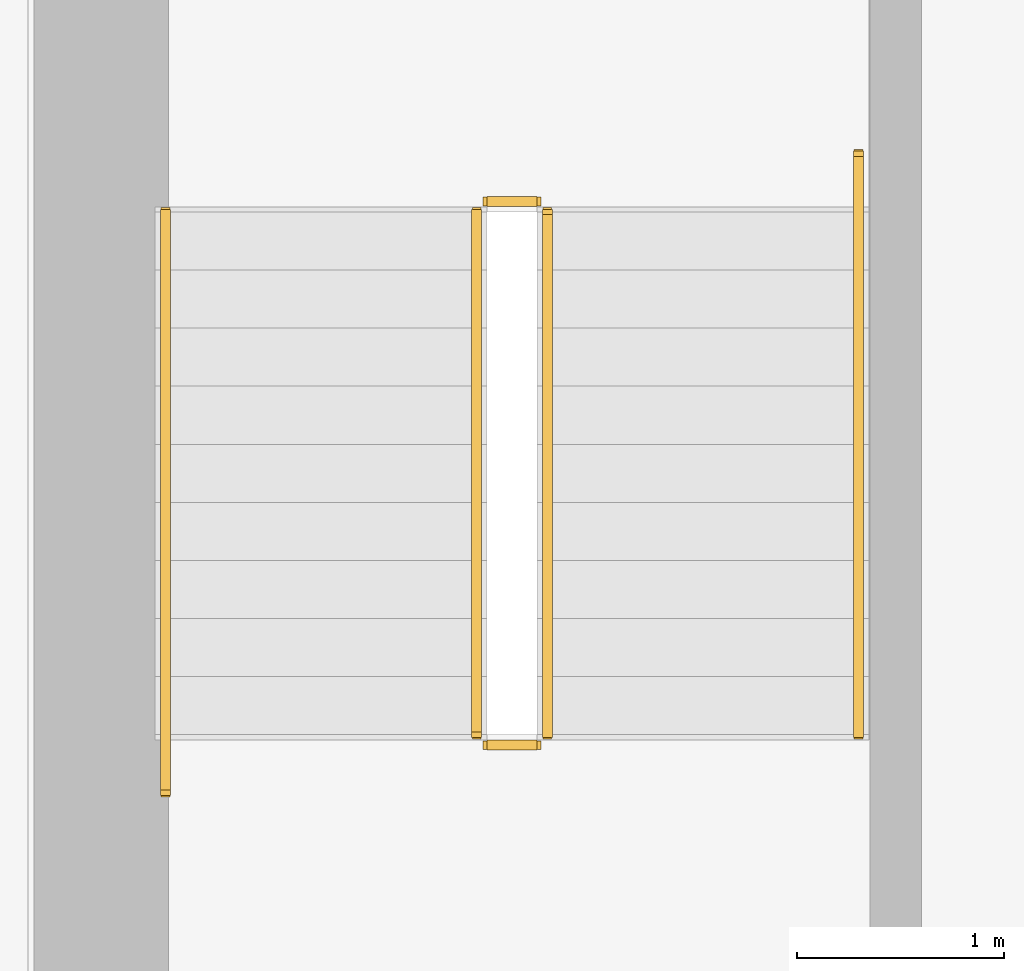
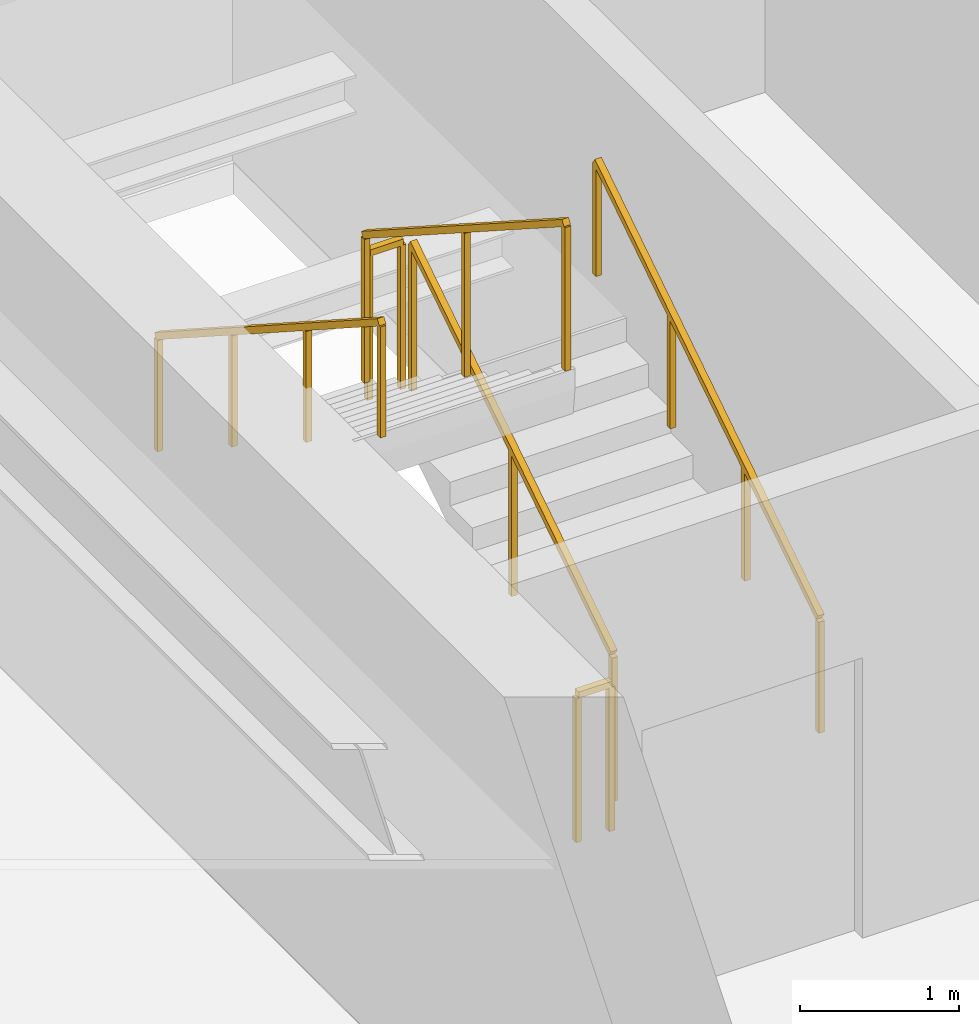
# One storey, part 34 of 37: 6 railings.
"""IFC4 building model written with IfcOpenShell, lengths in metres."""

from ifc_helpers import new_model, si_unit, direction, frame, origin, origin_2d, place, context, subcontext, project, spatial, rectangle, extrude, material, type_object, element, save


model = new_model("IFC4")

# Units and contexts
model_context = context("Model", 3, precision=1e-05, world=origin(), true_north=direction((0.0, 1.0)))
body_context = subcontext(model_context, "Body", "Model", "MODEL_VIEW")
ifc_project = project(units=[si_unit("LENGTHUNIT", "METRE"), si_unit("AREAUNIT", "SQUARE_METRE"), si_unit("VOLUMEUNIT", "CUBIC_METRE"), si_unit("PLANEANGLEUNIT", "RADIAN"), si_unit("MASSUNIT", "GRAM", prefix="KILO")], contexts=[model_context])

# Site, building, storey
site_placement = place(None, origin())
site = spatial("IfcSite", under=ifc_project, at=site_placement, CompositionType="ELEMENT")
building_placement = place(site_placement, origin())
building = spatial("IfcBuilding", under=site, at=building_placement, Name="Sumidabori Civic Tower", CompositionType="ELEMENT")
storey_placement = place(building_placement, frame((0.0, 0.0, 88.39990234375)))
storey = spatial("IfcBuildingStorey", under=building, at=storey_placement, Name="L22", CompositionType="ELEMENT", Elevation=88.39990234375)

# Railings
ifc_material_1 = material(Name="Stainless Steel Hairline Finish", Category="steel")
railing_type_1 = type_object("IfcRailingType", Name="RL-HANDRAIL", PredefinedType="HANDRAIL", material=ifc_material_1)
railing_1_placement = place(storey_placement, frame((-11.949951171875, 16.0, 0.18017578125)))
element("IfcRailing", 1, at=railing_1_placement, inside=storey, type_object=railing_type_1, Name="L22 ST-1 stair handrail 1", PredefinedType="HANDRAIL", context=body_context, shape_type="SweptSolid", body=[
    extrude(rectangle(XDim=0.048095703125, YDim=0.048095703125, at=origin_2d()), frame((0.0, 0.0, 0.8759765625), z_axis=(0.0, 0.840675598268, 0.541539046124), x_axis=(-1.0, 0.0, 0.0)), (0.0, 0.0, 1.0), 3.330810546875),
    extrude(rectangle(XDim=0.0419921875, YDim=0.0419921875, at=origin_2d()), origin(), (0.0, 0.0, 1.0), 0.851806640625),
    extrude(rectangle(XDim=0.0419921875, YDim=0.0419921875, at=origin_2d()), frame((0.0, 0.933349609375, 0.601318359375)), (0.0, 0.0, 1.0), 0.851806640625),
    extrude(rectangle(XDim=0.0419921875, YDim=0.0419921875, at=origin_2d()), frame((0.0, 1.86669921875, 1.202392578125)), (0.0, 0.0, 1.0), 0.851806640625),
    extrude(rectangle(XDim=0.0419921875, YDim=0.0419921875, at=origin_2d()), frame((0.0, 2.800048828125, 1.8037109375)), (0.0, 0.0, 1.0), 0.851806640625),
])
railing_2_placement = place(storey_placement, frame((-15.2900390625, 18.52001953125, 1.97998046875)))
element("IfcRailing", 2, at=railing_2_placement, inside=storey, type_object=railing_type_1, Name="L22 ST-1 stair handrail 2", PredefinedType="HANDRAIL", context=body_context, shape_type="SweptSolid", body=[
    extrude(rectangle(XDim=0.048095703125, YDim=0.048095703125, at=origin_2d()), frame((0.0, 0.0, 0.8759765625), z_axis=(0.0, -0.84064222762, 0.54159084662), x_axis=(1.0, 0.0, 0.0)), (0.0, 0.0, 1.0), 3.330810546875),
    extrude(rectangle(XDim=0.0419921875, YDim=0.0419921875, at=origin_2d()), origin(), (0.0, 0.0, 1.0), 0.851806640625),
    extrude(rectangle(XDim=0.0419921875, YDim=0.0419921875, at=origin_2d()), frame((0.0, -0.933349609375, 0.601318359375)), (0.0, 0.0, 1.0), 0.851806640625),
    extrude(rectangle(XDim=0.0419921875, YDim=0.0419921875, at=origin_2d()), frame((0.0, -1.86669921875, 1.20263671875)), (0.0, 0.0, 1.0), 0.851806640625),
    extrude(rectangle(XDim=0.0419921875, YDim=0.0419921875, at=origin_2d()), frame((0.0, -2.800048828125, 1.803955078125)), (0.0, 0.0, 1.0), 0.851806640625),
])
ifc_material_2 = material(Name="Steel SN490", Category="steel")
railing_type_2 = type_object("IfcRailingType", Name="RL-STAIR-GUARD", PredefinedType="GUARDRAIL", material=ifc_material_2)
railing_3_placement = place(storey_placement, frame((-13.449951171875, 16.0, 0.18017578125)))
element("IfcRailing", 3, at=railing_3_placement, inside=storey, type_object=railing_type_2, Name="L22 ST-1 stair guard 1", PredefinedType="GUARDRAIL", context=body_context, shape_type="SweptSolid", body=[
    extrude(rectangle(XDim=0.048095703125, YDim=0.048095703125, at=origin_2d()), frame((0.0, 0.0, 1.1259765625), z_axis=(0.0, 0.841199657755, 0.540724639528), x_axis=(-1.0, 0.0, 0.0)), (0.0, 0.0, 1.0), 2.995849609375),
    extrude(rectangle(XDim=0.0419921875, YDim=0.0419921875, at=origin_2d()), origin(), (0.0, 0.0, 1.0), 1.101806640625),
    extrude(rectangle(XDim=0.0419921875, YDim=0.0419921875, at=origin_2d()), frame((0.0, 1.260009765625, 0.81005859375)), (0.0, 0.0, 1.0), 1.101806640625),
    extrude(rectangle(XDim=0.0419921875, YDim=0.0419921875, at=origin_2d()), frame((0.0, 2.52001953125, 1.619873046875)), (0.0, 0.0, 1.0), 1.101806640625),
])
railing_4_placement = place(storey_placement, frame((-13.5, 18.570068359375, 1.800048828125)))
element("IfcRailing", 4, at=railing_4_placement, inside=storey, type_object=railing_type_2, Name="L22 ST-1 stair guard 2", PredefinedType="GUARDRAIL", context=body_context, shape_type="SweptSolid", body=[
    extrude(rectangle(XDim=0.048095703125, YDim=0.048095703125, at=origin_2d()), frame((0.0, 0.0, 1.1259765625), z_axis=(-1.0, 0.0, 0.0), x_axis=(0.0, -1.0, 0.0)), (0.0, 0.0, 1.0), 0.239990234375),
    extrude(rectangle(XDim=0.0419921875, YDim=0.0419921875, at=origin_2d()), origin(), (0.0, 0.0, 1.0), 1.101806640625),
    extrude(rectangle(XDim=0.0419921875, YDim=0.0419921875, at=origin_2d()), frame((-0.239990234375, 0.0, 0.0)), (0.0, 0.0, 1.0), 1.101806640625),
])
railing_5_placement = place(storey_placement, frame((-13.7900390625, 18.52001953125, 1.97998046875)))
element("IfcRailing", 5, at=railing_5_placement, inside=storey, type_object=railing_type_2, Name="L22 ST-1 stair guard 3", PredefinedType="GUARDRAIL", context=body_context, shape_type="SweptSolid", body=[
    extrude(rectangle(XDim=0.048095703125, YDim=0.048095703125, at=origin_2d()), frame((0.0, 0.0, 1.1259765625), z_axis=(0.0, -0.841162588446, 0.540782303519), x_axis=(1.0, 0.0, 0.0)), (0.0, 0.0, 1.0), 2.995849609375),
    extrude(rectangle(XDim=0.0419921875, YDim=0.0419921875, at=origin_2d()), origin(), (0.0, 0.0, 1.0), 1.101806640625),
    extrude(rectangle(XDim=0.0419921875, YDim=0.0419921875, at=origin_2d()), frame((0.0, -1.260009765625, 0.81005859375)), (0.0, 0.0, 1.0), 1.101806640625),
    extrude(rectangle(XDim=0.0419921875, YDim=0.0419921875, at=origin_2d()), frame((0.0, -2.52001953125, 1.6201171875)), (0.0, 0.0, 1.0), 1.101806640625),
])
railing_6_placement = place(storey_placement, frame((-13.5, 15.949951171875, 0.0)))
element("IfcRailing", 6, at=railing_6_placement, inside=storey, type_object=railing_type_2, Name="L22 ST-1 stair guard 4", PredefinedType="GUARDRAIL", context=body_context, shape_type="SweptSolid", body=[
    extrude(rectangle(XDim=0.048095703125, YDim=0.048095703125, at=origin_2d()), frame((0.0, 0.0, 1.1259765625), z_axis=(-1.0, 0.0, 0.0), x_axis=(0.0, -1.0, 0.0)), (0.0, 0.0, 1.0), 0.239990234375),
    extrude(rectangle(XDim=0.0419921875, YDim=0.0419921875, at=origin_2d()), origin(), (0.0, 0.0, 1.0), 1.101806640625),
    extrude(rectangle(XDim=0.0419921875, YDim=0.0419921875, at=origin_2d()), frame((-0.239990234375, 0.0, 0.0)), (0.0, 0.0, 1.0), 1.101806640625),
])

save(model, "model.ifc")
